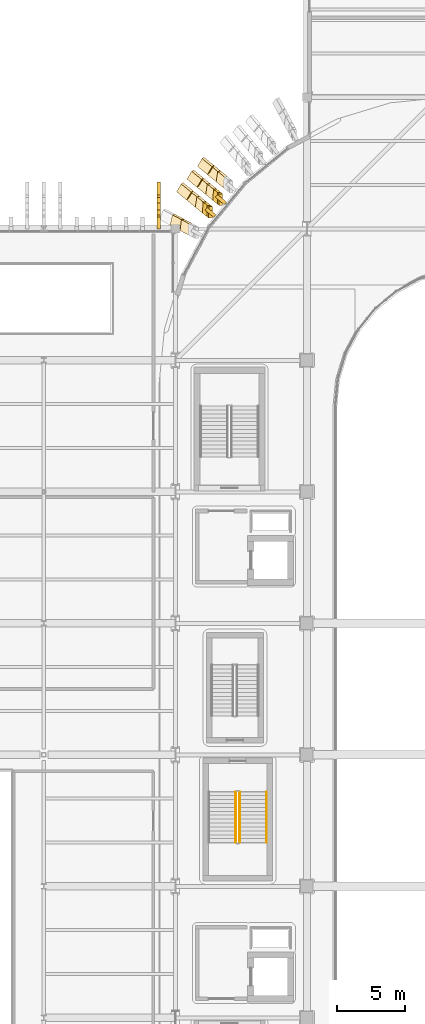
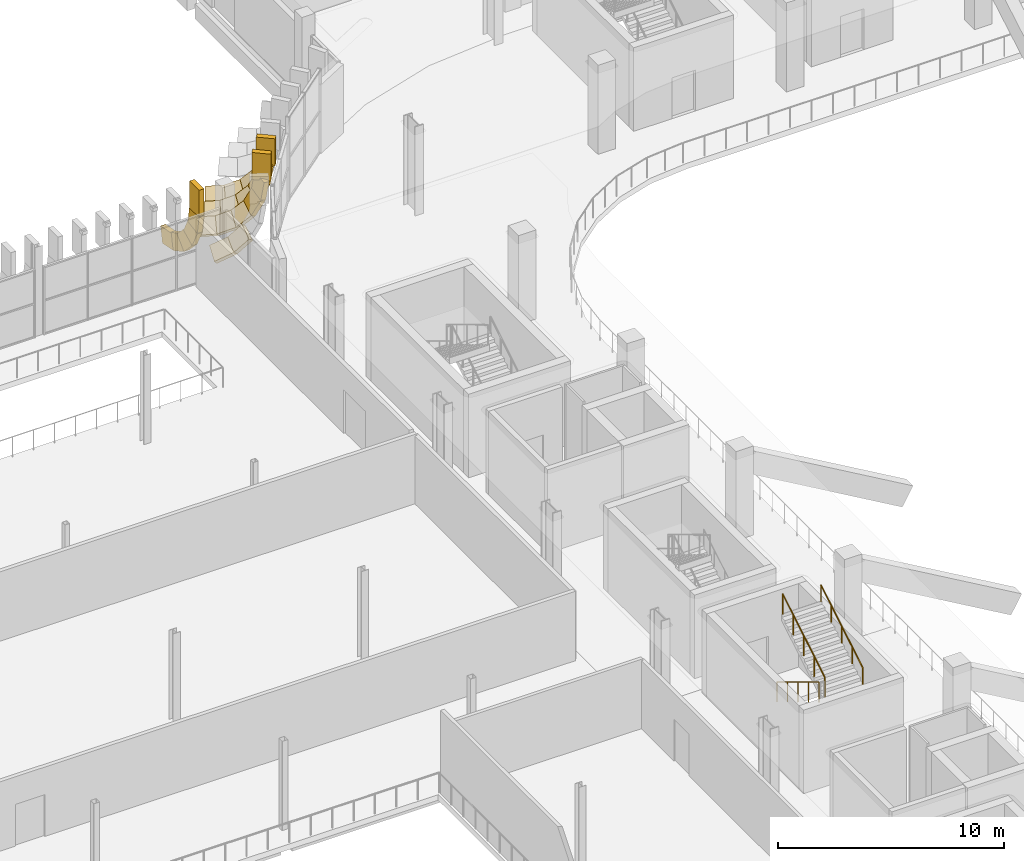
# One storey, part 81 of 100: 23 coverings, 3 railings.
"""IFC4 building model written with IfcOpenShell, lengths in metres."""

import ifcopenshell
import ifcopenshell.guid

model = None  # the IFC model being written
_history = None  # IfcOwnerHistory: only IFC2X3 demands one
_inside = {}  # id of a spatial element -> (the spatial element, [elements in it])
_under = {}  # id of a project, library or spatial element -> (it, [spatial elements below it])
_declared = {}  # id of a project -> (the project, [libraries it declares])
_typed = {}  # id of a type object -> (the type object, [elements of that type])
_made_of = {}  # id of a material, layer set ... -> (it, [elements and type objects made of it])


def new_model(schema):
    """Start an empty IFC model of exactly this schema.

    Asked for "IFC4X3", IfcOpenShell would pick the latest addendum, in which some entities
    have other attributes; the version numbers below select the first issue.
    IFC2X3 requires an IfcOwnerHistory on every rooted entity: one is made here for all.
    """
    global model, _history
    if schema == "IFC4X3":
        model = ifcopenshell.file(schema_version=(4, 3, 0, 0))
    else:
        model = ifcopenshell.file(schema=schema)
    _inside.clear()
    _under.clear()
    _declared.clear()
    _typed.clear()
    _made_of.clear()
    _history = None
    if model.schema == "IFC2X3":
        org = make("IfcOrganization", Name="unknown")
        user = make(
            "IfcPersonAndOrganization",
            ThePerson=make("IfcPerson", FamilyName="unknown"),
            TheOrganization=org,
        )
        app = make(
            "IfcApplication",
            ApplicationDeveloper=org,
            Version="unknown",
            ApplicationFullName="unknown",
            ApplicationIdentifier="unknown",
        )
        _history = make(
            "IfcOwnerHistory",
            OwningUser=user,
            OwningApplication=app,
            ChangeAction="ADDED",
            CreationDate=0,
        )
    return model


def make(cls, **values):
    """One entity of the class cls with the attributes given. An attribute that is None is left unset."""
    return model.create_entity(
        cls, **{name: value for name, value in values.items() if value is not None}
    )


def rooted(cls, **values):
    """An entity with a GlobalId (a new one), such as an element, a storey or a relation."""
    return make(cls, GlobalId=ifcopenshell.guid.new(), OwnerHistory=_history, **values)


def si_unit(unit_type, name, prefix=None):
    """IfcSIUnit, for example si_unit("LENGTHUNIT", "METRE", prefix="MILLI")."""
    return make("IfcSIUnit", UnitType=unit_type, Prefix=prefix, Name=name)


def assignment(units):
    """IfcUnitAssignment: the units of a project."""
    return None if units is None else make("IfcUnitAssignment", Units=units)


def point(xyz):
    """IfcCartesianPoint."""
    return None if xyz is None else make("IfcCartesianPoint", Coordinates=xyz)


def direction(xyz):
    """IfcDirection."""
    return None if xyz is None else make("IfcDirection", DirectionRatios=xyz)


def frame(location, z_axis=None, x_axis=None):
    """IfcAxis2Placement3D, a coordinate frame: its origin and axes. An axis left out is left unset."""
    return make(
        "IfcAxis2Placement3D",
        Location=point(location),
        Axis=direction(z_axis),
        RefDirection=direction(x_axis),
    )


def frame_2d(location, x_axis=None):
    """IfcAxis2Placement2D, a coordinate frame in the plane: its origin and x axis."""
    return make(
        "IfcAxis2Placement2D", Location=point(location), RefDirection=direction(x_axis)
    )


def origin():
    """The frame at (0, 0, 0) with its axes left unset."""
    return frame((0.0, 0.0, 0.0))


def origin_2d():
    """The frame at (0, 0) in the plane with its x axis left unset."""
    return frame_2d((0.0, 0.0))


def place(relative_to, where):
    """IfcLocalPlacement: puts the frame where relative to a parent placement (None: the world)."""
    return make(
        "IfcLocalPlacement", PlacementRelTo=relative_to, RelativePlacement=where
    )


def context(
    kind, dimensions, precision=None, world=None, true_north=None, identifier=None
):
    """IfcGeometricRepresentationContext, for example the 3D "Model" context."""
    return make(
        "IfcGeometricRepresentationContext",
        ContextIdentifier=identifier,
        ContextType=kind,
        CoordinateSpaceDimension=dimensions,
        Precision=precision,
        WorldCoordinateSystem=world,
        TrueNorth=true_north,
    )


def subcontext(parent, identifier, kind, view, scale=None):
    """IfcGeometricRepresentationSubContext, for example "Body" below "Model"."""
    return make(
        "IfcGeometricRepresentationSubContext",
        ContextIdentifier=identifier,
        ContextType=kind,
        ParentContext=parent,
        TargetScale=scale,
        TargetView=view,
    )


def project(units=None, contexts=None):
    """IfcProject with its units and contexts."""
    return rooted(
        "IfcProject",
        Name="project",
        RepresentationContexts=contexts,
        UnitsInContext=assignment(units),
    )


def spatial(cls, under=None, at=None, **own):
    """A site, building, storey or space (cls), placed at a placement, below another one or the project."""
    s = rooted(cls, ObjectPlacement=at, **own)
    if under is not None:
        _under.setdefault(under.id(), (under, []))[1].append(s)
    return s


def profile(cls, at=None, kind="AREA", **sizes):
    """A parametric profile (cls). Its sizes go by their IFC names, for example OverallWidth=200.0."""
    return make(cls, ProfileType=kind, Position=at, **sizes)


def rectangle(**sizes):
    """IfcRectangleProfileDef."""
    return profile("IfcRectangleProfileDef", **sizes)


def circle(**sizes):
    """IfcCircleProfileDef."""
    return profile("IfcCircleProfileDef", **sizes)


def extrude(swept, where, along, depth):
    """IfcExtrudedAreaSolid: the profile swept, set in the frame where, extruded along a direction by depth."""
    return make(
        "IfcExtrudedAreaSolid",
        SweptArea=swept,
        Position=where,
        ExtrudedDirection=direction(along),
        Depth=depth,
    )


def shape(context_of_items, identifier, shape_type, items):
    """IfcShapeRepresentation: the items that make up one representation, for example the "Body"."""
    return make(
        "IfcShapeRepresentation",
        ContextOfItems=context_of_items,
        RepresentationIdentifier=identifier,
        RepresentationType=shape_type,
        Items=items,
    )


def material(Name=None, Category=None):
    """IfcMaterial."""
    return make("IfcMaterial", Name=Name, Category=Category)


def material_profile(
    of_material, cross_section, Name=None, Category=None, Priority=None
):
    """IfcMaterialProfile: a cross section and its material."""
    return make(
        "IfcMaterialProfile",
        Name=Name,
        Material=of_material,
        Profile=cross_section,
        Priority=Priority,
        Category=Category,
    )


def profile_set(profiles, Name=None, composite=None):
    """IfcMaterialProfileSet."""
    return make(
        "IfcMaterialProfileSet",
        Name=Name,
        MaterialProfiles=profiles,
        CompositeProfile=composite,
    )


def made_of(thing, what):
    """Note that an element or type object is made of a material, layer set ...; save() writes the relation."""
    if what is not None:
        _made_of.setdefault(what.id(), (what, []))[1].append(thing)
    return thing


def type_object(cls, material=None, **own):
    """A type object (cls), such as IfcWallType, which elements share."""
    return made_of(rooted(cls, **own), material)


def element(
    cls,
    number,
    at=None,
    inside=None,
    cuts=None,
    type_object=None,
    material=None,
    context=None,
    identifier="Body",
    shape_type=None,
    held_by="IfcProductDefinitionShape",
    body=None,
    shapes=None,
    **own,
):
    """One element of the class cls, such as IfcWall. Its Tag is "e" and its number.

    at: its placement. inside: the storey or other place that contains it. cuts: it is an
    opening in that element (IfcRelVoidsElement). A single representation is given by context,
    identifier, shape_type and body (its items); several are given by shapes. held_by: the class
    of the entity that holds the representations. save() writes the other relations.
    """
    e = rooted(cls, Tag="e%d" % number, ObjectPlacement=at, **own)
    if body is not None:
        shapes = [shape(context, identifier, shape_type, body)]
    if shapes is not None:
        e.Representation = make(held_by, Representations=shapes)
    if inside is not None:
        _inside.setdefault(inside.id(), (inside, []))[1].append(e)
    if cuts is not None:
        rooted(
            "IfcRelVoidsElement", RelatingBuildingElement=cuts, RelatedOpeningElement=e
        )
    if type_object is not None:
        _typed.setdefault(type_object.id(), (type_object, []))[1].append(e)
    return made_of(e, material)


def aggregate(whole, parts):
    """IfcRelAggregates: a whole, such as a stair, and the parts it consists of."""
    return rooted("IfcRelAggregates", RelatingObject=whole, RelatedObjects=parts)


def save(model, path):
    """Write the relations noted so far, then the file.

    IfcRelAggregates (storeys below a building ...), IfcRelContainedInSpatialStructure (elements
    in a storey), IfcRelDefinesByType, IfcRelAssociatesMaterial and IfcRelDeclares: one each for
    every whole, place, type object, material and project.
    """
    for whole, parts in _under.values():
        aggregate(whole, parts)
    for where, things in _inside.values():
        rooted(
            "IfcRelContainedInSpatialStructure",
            RelatedElements=things,
            RelatingStructure=where,
        )
    for kind, things in _typed.values():
        rooted("IfcRelDefinesByType", RelatedObjects=things, RelatingType=kind)
    for what, things in _made_of.values():
        rooted("IfcRelAssociatesMaterial", RelatedObjects=things, RelatingMaterial=what)
    for by, libraries in _declared.values():
        rooted("IfcRelDeclares", RelatingContext=by, RelatedDefinitions=libraries)
    model.write(path)


model = new_model("IFC4")

# Units and contexts
model_context = context("Model", 3, precision=1e-05, world=origin(), true_north=direction((0.0, 1.0)))
body_context = subcontext(model_context, "Body", "Model", "MODEL_VIEW")
ifc_project = project(units=[si_unit("LENGTHUNIT", "METRE"), si_unit("AREAUNIT", "SQUARE_METRE"), si_unit("VOLUMEUNIT", "CUBIC_METRE"), si_unit("PLANEANGLEUNIT", "RADIAN"), si_unit("MASSUNIT", "GRAM", prefix="KILO")], contexts=[model_context])

# Site, building, storey
site_placement = place(None, origin())
site = spatial("IfcSite", under=ifc_project, at=site_placement, CompositionType="ELEMENT")
building_placement = place(site_placement, origin())
building = spatial("IfcBuilding", under=site, at=building_placement, Name="Caelomonte Colonnade Arena", CompositionType="ELEMENT")
storey_placement = place(building_placement, origin())
storey = spatial("IfcBuildingStorey", under=building, at=storey_placement, Name="L00", CompositionType="ELEMENT", Elevation=0.0)

# Coverings
ifc_material_1 = material(Name="Precast travertine cladding", Category="masonry")
ifc_material_profile = material_profile(ifc_material_1, rectangle(XDim=0.260009765625, YDim=0.85009765625, at=origin_2d()), Name="FIN260X850")
ifc_profile_set = profile_set([ifc_material_profile], Name="Precast travertine cladding")
covering_type = type_object("IfcCoveringType", Name="ENV-FN-SKIRT", PredefinedType="CLADDING", material=ifc_profile_set)
covering_1_placement = place(storey_placement, frame((61.281005859375, 108.98095703125, 1.733154296875), z_axis=(-0.536995164817, 0.440592785207, -0.719384591569), x_axis=(-0.832306711864, -0.137734765107, 0.536930788712)))
element("IfcCovering", 1, at=covering_1_placement, inside=storey, type_object=covering_type, Name="V1 L00 splayed classical fin skirt chord 3 (159)", PredefinedType="CLADDING", context=body_context, shape_type="SweptSolid", body=[
    extrude(rectangle(XDim=0.260009765625, YDim=0.85009765625, at=origin_2d()), origin(), (0.0, 0.0, 1.0), 1.008056640625),
])
covering_2_placement = place(storey_placement, frame((60.79443359375, 109.380126953125, 1.061767578125), z_axis=(-0.679977341442, 0.558128890161, -0.47552387647), x_axis=(-0.686627978784, -0.257168052861, 0.680004861261)))
element("IfcCovering", 2, at=covering_2_placement, inside=storey, type_object=covering_type, Name="V1 L00 splayed classical fin skirt chord 4 (159)", PredefinedType="CLADDING", context=body_context, shape_type="SweptSolid", body=[
    extrude(rectangle(XDim=0.260009765625, YDim=0.85009765625, at=origin_2d()), origin(), (0.0, 0.0, 1.0), 1.0078125),
])
covering_3_placement = place(storey_placement, frame((60.173828125, 109.8896484375, 0.6123046875), z_axis=(-0.759326248554, 0.623134466498, -0.187422210314), x_axis=(-0.514449574071, -0.398511316548, 0.759295967539)))
element("IfcCovering", 3, at=covering_3_placement, inside=storey, type_object=covering_type, Name="V1 L00 splayed classical fin skirt chord 5 (159)", PredefinedType="CLADDING", context=body_context, shape_type="SweptSolid", body=[
    extrude(rectangle(XDim=0.260009765625, YDim=0.85009765625, at=origin_2d()), origin(), (0.0, 0.0, 1.0), 0.962646484375),
])
covering_4_placement = place(storey_placement, frame((60.91943359375, 107.72509765625, 3.360107421875), z_axis=(0.0, 0.0, 1.0), x_axis=(0.634413521313, 0.77299384472, 0.0)))
element("IfcCovering", 4, at=covering_4_placement, inside=storey, type_object=covering_type, Name="V1 L00 upper classical fin stem 160", PredefinedType="CLADDING", context=body_context, shape_type="SweptSolid", body=[
    extrude(rectangle(XDim=0.260009765625, YDim=0.85009765625, at=origin_2d()), origin(), (0.0, 0.0, 1.0), 1.4599609375),
])
for number, where, z_axis, x_axis, name in (
    (5, (60.9248046875, 107.720703125, 3.474609375), (-0.11819984964, 0.097127335462, -0.988228251089), (-0.992969417275, -0.005180578696, 0.11825776068), "V1 L00 splayed classical fin skirt chord 1 (160)"),
    (6, (60.826416015625, 107.801513671875, 2.563232421875), (-0.343693469961, 0.282172581046, -0.895686012625), (-0.937678846497, -0.050999551828, 0.343740347566), "V1 L00 splayed classical fin skirt chord 2 (160)"),
    (7, (60.519775390625, 108.053466796875, 1.733154296875), (-0.536995164817, 0.440592785207, -0.719384591569), (-0.832306711864, -0.137734765107, 0.536930788712), "V1 L00 splayed classical fin skirt chord 3 (160)"),
):
    element("IfcCovering", number, at=place(storey_placement, frame(where, z_axis=z_axis, x_axis=x_axis)), inside=storey, type_object=covering_type, Name=name, PredefinedType="CLADDING", context=body_context, shape_type="SweptSolid", body=[
        extrude(rectangle(XDim=0.260009765625, YDim=0.85009765625, at=origin_2d()), origin(), (0.0, 0.0, 1.0), 1.008056640625),
    ])
covering_5_placement = place(storey_placement, frame((60.033203125, 108.45263671875, 1.061767578125), z_axis=(-0.679977341442, 0.558128890161, -0.47552387647), x_axis=(-0.686627978784, -0.257168052861, 0.680004861261)))
element("IfcCovering", 8, at=covering_5_placement, inside=storey, type_object=covering_type, Name="V1 L00 splayed classical fin skirt chord 4 (160)", PredefinedType="CLADDING", context=body_context, shape_type="SweptSolid", body=[
    extrude(rectangle(XDim=0.260009765625, YDim=0.85009765625, at=origin_2d()), origin(), (0.0, 0.0, 1.0), 1.0078125),
])
covering_6_placement = place(storey_placement, frame((59.41259765625, 108.9619140625, 0.6123046875), z_axis=(-0.759313636277, 0.623169588637, -0.187356519936), x_axis=(-0.51442458273, -0.398525120685, 0.759305654441)))
element("IfcCovering", 9, at=covering_6_placement, inside=storey, type_object=covering_type, Name="V1 L00 splayed classical fin skirt chord 5 (160)", PredefinedType="CLADDING", context=body_context, shape_type="SweptSolid", body=[
    extrude(rectangle(XDim=0.260009765625, YDim=0.85009765625, at=origin_2d()), origin(), (0.0, 0.0, 1.0), 0.962890625),
])
covering_7_placement = place(storey_placement, frame((60.158203125, 106.797607421875, 3.360107421875), z_axis=(0.0, 0.0, 1.0), x_axis=(0.634413521313, 0.77299384472, 0.0)))
element("IfcCovering", 10, at=covering_7_placement, inside=storey, type_object=covering_type, Name="V1 L00 upper classical fin stem 161", PredefinedType="CLADDING", context=body_context, shape_type="SweptSolid", body=[
    extrude(rectangle(XDim=0.260009765625, YDim=0.85009765625, at=origin_2d()), origin(), (0.0, 0.0, 1.0), 1.4599609375),
])
covering_8_placement = place(storey_placement, frame((60.16357421875, 106.793212890625, 3.474609375), z_axis=(-0.11819984964, 0.097127335462, -0.988228251089), x_axis=(-0.992969417275, -0.005180578696, 0.11825776068)))
element("IfcCovering", 11, at=covering_8_placement, inside=storey, type_object=covering_type, Name="V1 L00 splayed classical fin skirt chord 1 (161)", PredefinedType="CLADDING", context=body_context, shape_type="SweptSolid", body=[
    extrude(rectangle(XDim=0.260009765625, YDim=0.85009765625, at=origin_2d()), origin(), (0.0, 0.0, 1.0), 1.008056640625),
])
covering_9_placement = place(storey_placement, frame((60.065185546875, 106.8740234375, 2.563232421875), z_axis=(-0.343716951851, 0.281949634922, -0.895747207854), x_axis=(-0.93769385964, -0.051364417791, 0.343645052602)))
element("IfcCovering", 12, at=covering_9_placement, inside=storey, type_object=covering_type, Name="V1 L00 splayed classical fin skirt chord 2 (161)", PredefinedType="CLADDING", context=body_context, shape_type="SweptSolid", body=[
    extrude(rectangle(XDim=0.260009765625, YDim=0.85009765625, at=origin_2d()), origin(), (0.0, 0.0, 1.0), 1.0078125),
])
for number, where, z_axis, x_axis, name in (
    (13, (59.75830078125, 107.125732421875, 1.733154296875), (-0.536995164817, 0.440592785207, -0.719384591569), (-0.832306711864, -0.137734765107, 0.536930788712), "V1 L00 splayed classical fin skirt chord 3 (161)"),
    (14, (59.27197265625, 107.52490234375, 1.061767578125), (-0.680107546807, 0.558036961483, -0.475445553555), (-0.686536244089, -0.257326386813, 0.680037584404), "V1 L00 splayed classical fin skirt chord 4 (161)"),
):
    element("IfcCovering", number, at=place(storey_placement, frame(where, z_axis=z_axis, x_axis=x_axis)), inside=storey, type_object=covering_type, Name=name, PredefinedType="CLADDING", context=body_context, shape_type="SweptSolid", body=[
        extrude(rectangle(XDim=0.260009765625, YDim=0.85009765625, at=origin_2d()), origin(), (0.0, 0.0, 1.0), 1.008056640625),
    ])
covering_10_placement = place(storey_placement, frame((58.6513671875, 108.034423828125, 0.6123046875), z_axis=(-0.759313636277, 0.623169588637, -0.187356519936), x_axis=(-0.51442458273, -0.398525120685, 0.759305654441)))
element("IfcCovering", 15, at=covering_10_placement, inside=storey, type_object=covering_type, Name="V1 L00 splayed classical fin skirt chord 5 (161)", PredefinedType="CLADDING", context=body_context, shape_type="SweptSolid", body=[
    extrude(rectangle(XDim=0.260009765625, YDim=0.85009765625, at=origin_2d()), origin(), (0.0, 0.0, 1.0), 0.962890625),
])
covering_11_placement = place(storey_placement, frame((58.70703125, 105.552490234375, 1.733154296875), z_axis=(-0.612617343717, 0.327262171357, -0.719443855611), x_axis=(-0.781759648913, -0.11682419353, 0.612538944997)))
element("IfcCovering", 16, at=covering_11_placement, inside=storey, type_object=covering_type, Name="V1 L00 splayed classical fin skirt chord 3 (162)", PredefinedType="CLADDING", context=body_context, shape_type="SweptSolid", body=[
    extrude(rectangle(XDim=0.260009765625, YDim=0.85009765625, at=origin_2d()), origin(), (0.0, 0.0, 1.0), 1.0078125),
])
covering_12_placement = place(storey_placement, frame((58.152099609375, 105.848876953125, 1.061767578125), z_axis=(-0.77577116525, 0.414891041546, -0.475441397873), x_axis=(-0.592056985624, -0.217939153838, 0.775867933993)))
element("IfcCovering", 17, at=covering_12_placement, inside=storey, type_object=covering_type, Name="V1 L00 splayed classical fin skirt chord 4 (162)", PredefinedType="CLADDING", context=body_context, shape_type="SweptSolid", body=[
    extrude(rectangle(XDim=0.260009765625, YDim=0.85009765625, at=origin_2d()), origin(), (0.0, 0.0, 1.0), 1.008056640625),
])
covering_13_placement = place(storey_placement, frame((56.39990234375, 106.02099609375, 3.360107421875), z_axis=(0.0, 0.0, 1.0), x_axis=(1.0, 0.0, 0.0)))
element("IfcCovering", 18, at=covering_13_placement, inside=storey, type_object=covering_type, Name="V5D L00 upper classical fin stem 4", PredefinedType="CLADDING", context=body_context, shape_type="SweptSolid", body=[
    extrude(rectangle(XDim=0.260009765625, YDim=0.85009765625, at=origin_2d()), origin(), (0.0, 0.0, 1.0), 1.4599609375),
])
for number, where, z_axis, x_axis, name in (
    (19, (56.39990234375, 106.01416015625, 3.474609375), (0.0, 0.15283979596, -0.988250978634), (-1.0, 0.0, 0.0), "V5D L00 splayed classical fin skirt chord 1 (4)"),
    (20, (56.39990234375, 106.141357421875, 2.563232421875), (0.0, 0.444692864571, -0.89568312265), (-1.0, 0.0, 0.0), "V5D L00 splayed classical fin skirt chord 2 (4)"),
    (21, (56.39990234375, 106.538330078125, 1.733154296875), (0.0, 0.694646381209, -0.71935137803), (-1.0, 0.0, 0.0), "V5D L00 splayed classical fin skirt chord 3 (4)"),
    (22, (56.39990234375, 107.16748046875, 1.061767578125), (0.0, 0.879731158529, -0.475471438379), (-1.0, 0.0, 0.0), "V5D L00 splayed classical fin skirt chord 4 (4)"),
):
    element("IfcCovering", number, at=place(storey_placement, frame(where, z_axis=z_axis, x_axis=x_axis)), inside=storey, type_object=covering_type, Name=name, PredefinedType="CLADDING", context=body_context, shape_type="SweptSolid", body=[
        extrude(rectangle(XDim=0.260009765625, YDim=0.85009765625, at=origin_2d()), origin(), (0.0, 0.0, 1.0), 1.008056640625),
    ])
covering_14_placement = place(storey_placement, frame((56.39990234375, 107.970458984375, 0.6123046875), z_axis=(0.0, 0.982287485173, -0.187380085582), x_axis=(-1.0, 0.0, 0.0)))
element("IfcCovering", 23, at=covering_14_placement, inside=storey, type_object=covering_type, Name="V5D L00 splayed classical fin skirt chord 5 (4)", PredefinedType="CLADDING", context=body_context, shape_type="SweptSolid", body=[
    extrude(rectangle(XDim=0.260009765625, YDim=0.85009765625, at=origin_2d()), origin(), (0.0, 0.0, 1.0), 0.962890625),
])

# Railings
ifc_material_2 = material(Name="Painted galvanized steel stair guard", Category="steel")
railing_type_1 = type_object("IfcRailingType", Name="INT-RL-GRD", PredefinedType="GUARDRAIL", material=ifc_material_2)
railing_1_placement = place(storey_placement, frame((62.0, 64.5, 0.17138671875)))
element("IfcRailing", 24, at=railing_1_placement, inside=storey, type_object=railing_type_1, Name="L00 ST-09 stair guard 1", PredefinedType="GUARDRAIL", context=body_context, shape_type="SweptSolid", body=[
    extrude(circle(Radius=0.02392578125, at=origin_2d()), frame((0.0, 0.0, 1.076171875), z_axis=(0.0, -0.856934400257, 0.515425487977), x_axis=(1.0, 0.0, 0.0)), (0.0, 0.0, 1.0), 4.32373046875),
    extrude(circle(Radius=0.02099609375, at=origin_2d()), origin(), (0.0, 0.0, 1.0), 1.048095703125),
    extrude(circle(Radius=0.02099609375, at=origin_2d()), frame((0.0, -0.92626953125, 0.55712890625)), (0.0, 0.0, 1.0), 1.048095703125),
    extrude(circle(Radius=0.02099609375, at=origin_2d()), frame((0.0, -1.8525390625, 1.1142578125)), (0.0, 0.0, 1.0), 1.048095703125),
    extrude(circle(Radius=0.02099609375, at=origin_2d()), frame((0.0, -2.77880859375, 1.67138671875)), (0.0, 0.0, 1.0), 1.048095703125),
    extrude(circle(Radius=0.02099609375, at=origin_2d()), frame((0.0, -3.705078125, 2.228515625)), (0.0, 0.0, 1.0), 1.048095703125),
])
railing_2_placement = place(storey_placement, frame((62.300048828125, 60.794921875, 2.571533203125)))
element("IfcRailing", 25, at=railing_2_placement, inside=storey, type_object=railing_type_1, Name="L00 ST-09 stair guard 3", PredefinedType="GUARDRAIL", context=body_context, shape_type="SweptSolid", body=[
    extrude(circle(Radius=0.02392578125, at=origin_2d()), frame((0.0, 0.0, 1.076171875), z_axis=(0.0, 0.856934400257, 0.515425487977), x_axis=(-1.0, 0.0, 0.0)), (0.0, 0.0, 1.0), 4.32373046875),
    extrude(circle(Radius=0.02099609375, at=origin_2d()), origin(), (0.0, 0.0, 1.0), 1.048095703125),
    extrude(circle(Radius=0.02099609375, at=origin_2d()), frame((0.0, 0.92626953125, 0.55712890625)), (0.0, 0.0, 1.0), 1.048095703125),
    extrude(circle(Radius=0.02099609375, at=origin_2d()), frame((0.0, 1.8525390625, 1.1142578125)), (0.0, 0.0, 1.0), 1.048095703125),
    extrude(circle(Radius=0.02099609375, at=origin_2d()), frame((0.0, 2.77880859375, 1.67138671875)), (0.0, 0.0, 1.0), 1.048095703125),
    extrude(circle(Radius=0.02099609375, at=origin_2d()), frame((0.0, 3.705078125, 2.228515625)), (0.0, 0.0, 1.0), 1.048095703125),
])
ifc_material_3 = material(Name="Brushed stainless steel stair handrail", Category="steel")
railing_type_2 = type_object("IfcRailingType", Name="INT-RL-HR", PredefinedType="HANDRAIL", material=ifc_material_3)
railing_3_placement = place(storey_placement, frame((64.25, 60.794921875, 2.571533203125)))
element("IfcRailing", 26, at=railing_3_placement, inside=storey, type_object=railing_type_2, Name="L00 ST-09 stair handrail 2", PredefinedType="HANDRAIL", context=body_context, shape_type="SweptSolid", body=[
    extrude(circle(Radius=0.02392578125, at=origin_2d()), frame((0.0, 0.0, 0.8759765625), z_axis=(0.0, 0.856934400257, 0.515425487977), x_axis=(-1.0, 0.0, 0.0)), (0.0, 0.0, 1.0), 4.32373046875),
    extrude(circle(Radius=0.02099609375, at=origin_2d()), origin(), (0.0, 0.0, 1.0), 0.847900390625),
    extrude(circle(Radius=0.02099609375, at=origin_2d()), frame((0.0, 0.92626953125, 0.55712890625)), (0.0, 0.0, 1.0), 0.847900390625),
    extrude(circle(Radius=0.02099609375, at=origin_2d()), frame((0.0, 1.8525390625, 1.1142578125)), (0.0, 0.0, 1.0), 0.847900390625),
    extrude(circle(Radius=0.02099609375, at=origin_2d()), frame((0.0, 2.77880859375, 1.67138671875)), (0.0, 0.0, 1.0), 0.847900390625),
    extrude(circle(Radius=0.02099609375, at=origin_2d()), frame((0.0, 3.705078125, 2.228515625)), (0.0, 0.0, 1.0), 0.847900390625),
])

save(model, "model.ifc")
